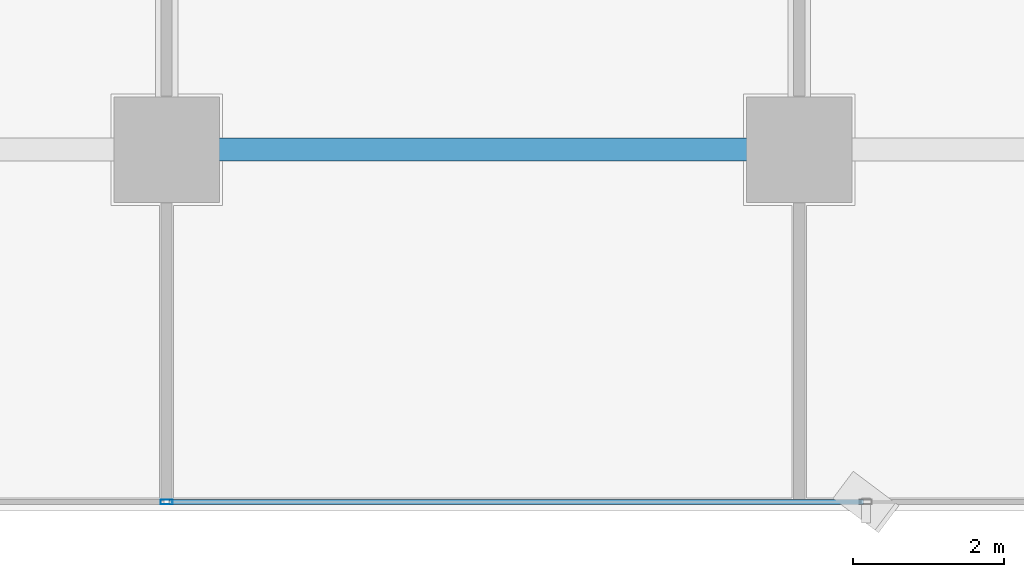
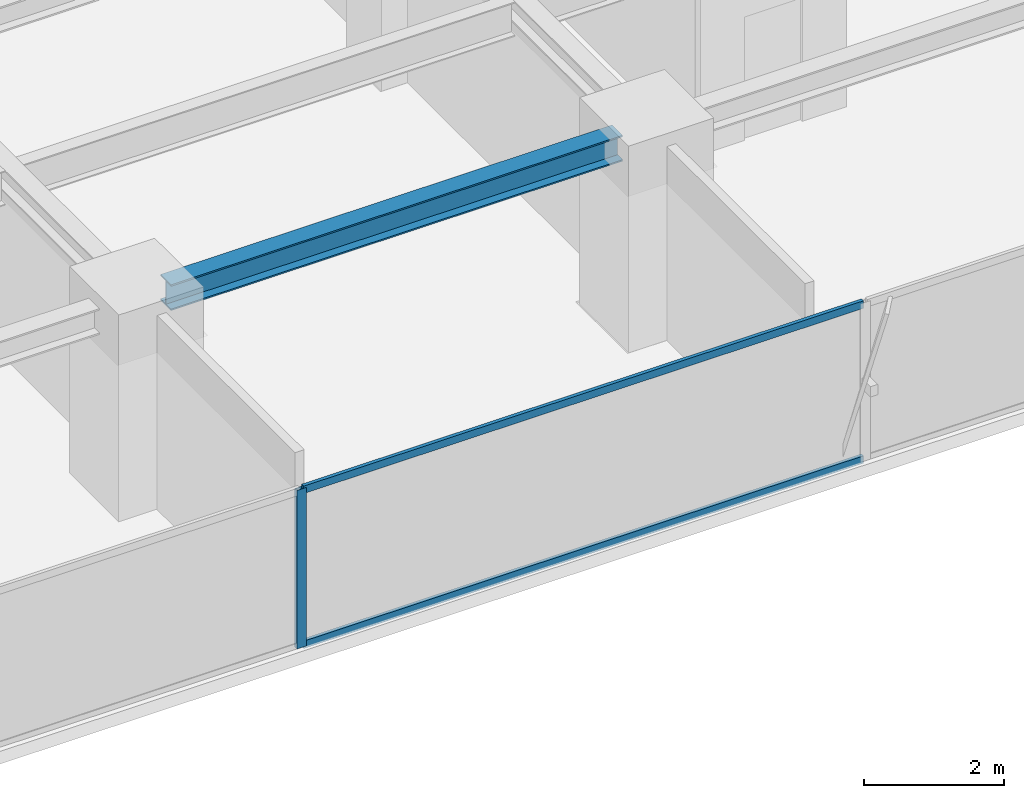
# One storey, part 5 of 28: 3 members, 1 beam, 1 element without a shape of its own.
"""IFC4 building model written with IfcOpenShell, lengths in metres."""

from ifc_helpers import new_model, si_unit, direction, frame, origin, origin_2d, place, context, subcontext, project, spatial, hollow_rectangle, i_section, extrude, source, transform, mapped, material, layer, layer_set, material_profile, profile_set, type_object, element, aggregate, save


model = new_model("IFC4")

# Units and contexts
model_context = context("Model", 3, precision=1e-05, world=origin(), true_north=direction((0.0, 1.0)))
body_context = subcontext(model_context, "Body", "Model", "MODEL_VIEW")
ifc_project = project(units=[si_unit("LENGTHUNIT", "METRE"), si_unit("AREAUNIT", "SQUARE_METRE"), si_unit("VOLUMEUNIT", "CUBIC_METRE"), si_unit("PLANEANGLEUNIT", "RADIAN"), si_unit("MASSUNIT", "GRAM", prefix="KILO")], contexts=[model_context])

# Site, building, storey
site_placement = place(None, origin())
site = spatial("IfcSite", under=ifc_project, at=site_placement, CompositionType="ELEMENT")
building_placement = place(site_placement, origin())
building = spatial("IfcBuilding", under=site, at=building_placement, Name="Sumidabori Civic Tower", CompositionType="ELEMENT")
storey_placement = place(building_placement, frame((0.0, 0.0, 153.199951171875)))
storey = spatial("IfcBuildingStorey", under=building, at=storey_placement, Name="L39", CompositionType="ELEMENT", Elevation=153.199951171875)

# Beam
ifc_material_1 = material(Name="Steel SN490", Category="steel")
ifc_material_profile_1 = material_profile(ifc_material_1, i_section(OverallWidth=0.300048828125, OverallDepth=0.449951171875, WebThickness=0.013916015625, FlangeThickness=0.02587890625, at=origin_2d()), Name="HE 450 B")
ifc_profile_set_1 = profile_set([ifc_material_profile_1], Name="Steel SN490")
beam_type = type_object("IfcBeamType", Name="BM-GIRD-450", PredefinedType="BEAM", material=ifc_profile_set_1)
shared_shape_1 = source(origin(), body_context, "Body", "SweptSolid", [
    extrude(i_section(OverallWidth=0.300048828125, OverallDepth=0.449951171875, WebThickness=0.013916015625, FlangeThickness=0.02587890625, at=origin_2d()), origin(), (0.0, 0.0, 1.0), 7.43994140625),
])
beam_placement = place(storey_placement, frame((0.47998046875, -18.0, 3.155029296875), z_axis=(1.0, 0.0, 0.0), x_axis=(0.0, 1.0, 0.0)))
element("IfcBeam", 1, at=beam_placement, inside=storey, type_object=beam_type, Name="Primary Girder L39 GX-03", PredefinedType="BEAM", context=body_context, shape_type="MappedRepresentation", body=[
    mapped(shared_shape_1, transform((0.0, 0.0, 0.0), x_axis=(1.0, 0.0, 0.0), y_axis=(0.0, 1.0, 0.0), z_axis=(0.0, 0.0, 1.0), scale=1.0)),
])

# Curtain wall, members
ifc_material_2 = material(Name="Anodised Bronze Aluminium AW-6063-T6", Category="aluminium")
ifc_layer = layer(ifc_material_2, 0.179931640625, Name="Anodised Bronze Aluminium AW-6063-T6")
ifc_layer_set = layer_set([ifc_layer], Name="Anodised Bronze Aluminium AW-6063-T6")
curtain_wall_type = type_object("IfcCurtainWallType", Name="CW-SYS-3", PredefinedType="NOTDEFINED", material=ifc_layer_set)
curtain_wall_placement = place(storey_placement, origin())
curtain_wall = element("IfcCurtainWall", 2, at=curtain_wall_placement, inside=storey, type_object=curtain_wall_type, Name="Curtain Wall CW:L39:R01", PredefinedType="NOTDEFINED")
ifc_material_profile_2 = material_profile(ifc_material_2, hollow_rectangle(XDim=0.06494140625, YDim=0.159912109375, WallThickness=0.0048828125, at=origin_2d()), Name="ALU MULLION 160x65")
ifc_profile_set_2 = profile_set([ifc_material_profile_2], Name="Anodised Bronze Aluminium AW-6063-T6")
member_type_1 = type_object("IfcMemberType", Name="CW-MUL-160", PredefinedType="MULLION", material=ifc_profile_set_2)
shared_shape_2 = source(origin(), body_context, "Body", "SweptSolid", [
    extrude(hollow_rectangle(XDim=0.06494140625, YDim=0.159912109375, WallThickness=0.0048828125, at=origin_2d()), origin(), (0.0, 0.0, 1.0), 2.760009765625),
])
member_1_placement = place(storey_placement, frame((0.0, -22.679931640625, 0.0), z_axis=(0.0, 0.0, 1.0), x_axis=(0.0, 1.0, 0.0)))
member_1 = element("IfcMember", 3, at=member_1_placement, type_object=member_type_1, Name="CW-3 mullion 3", PredefinedType="MULLION", context=body_context, shape_type="MappedRepresentation", body=[
    mapped(shared_shape_2, transform((0.0, 0.0, 0.0), x_axis=(1.0, 0.0, 0.0), y_axis=(0.0, 1.0, 0.0), z_axis=(0.0, 0.0, 1.0), scale=1.0)),
])
ifc_material_profile_3 = material_profile(ifc_material_2, hollow_rectangle(XDim=0.06005859375, YDim=0.1298828125, WallThickness=0.0048828125, at=origin_2d()), Name="ALU TRANSOM 130x60")
ifc_profile_set_3 = profile_set([ifc_material_profile_3], Name="Anodised Bronze Aluminium AW-6063-T6")
member_type_2 = type_object("IfcMemberType", Name="CW-TRN-130", PredefinedType="USERDEFINED", material=ifc_profile_set_3)
shared_shape_3 = source(origin(), body_context, "Body", "SweptSolid", [
    extrude(hollow_rectangle(XDim=0.06005859375, YDim=0.1298828125, WallThickness=0.0048828125, at=origin_2d()), origin(), (0.0, 0.0, 1.0), 9.219970703125),
])
member_2_placement = place(storey_placement, frame((0.032470703125, -22.679931640625, 0.030029296875), z_axis=(1.0, 0.0, 0.0), x_axis=(0.0, 1.0, 0.0)))
member_2 = element("IfcMember", 4, at=member_2_placement, type_object=member_type_2, Name="CW-3 transom 3.1", ObjectType="TRANSOM", PredefinedType="USERDEFINED", context=body_context, shape_type="MappedRepresentation", body=[
    mapped(shared_shape_3, transform((0.0, 0.0, 0.0), x_axis=(1.0, 0.0, 0.0), y_axis=(0.0, 1.0, 0.0), z_axis=(0.0, 0.0, 1.0), scale=1.0)),
])
member_3_placement = place(storey_placement, frame((0.032470703125, -22.679931640625, 2.72998046875), z_axis=(1.0, 0.0, 0.0), x_axis=(0.0, 1.0, 0.0)))
member_3 = element("IfcMember", 5, at=member_3_placement, type_object=member_type_2, Name="CW-3 transom 3.2", ObjectType="TRANSOM", PredefinedType="USERDEFINED", context=body_context, shape_type="MappedRepresentation", body=[
    mapped(shared_shape_3, transform((0.0, 0.0, 0.0), x_axis=(1.0, 0.0, 0.0), y_axis=(0.0, 1.0, 0.0), z_axis=(0.0, 0.0, 1.0), scale=1.0)),
])
aggregate(curtain_wall, [member_1, member_2, member_3])

save(model, "model.ifc")
